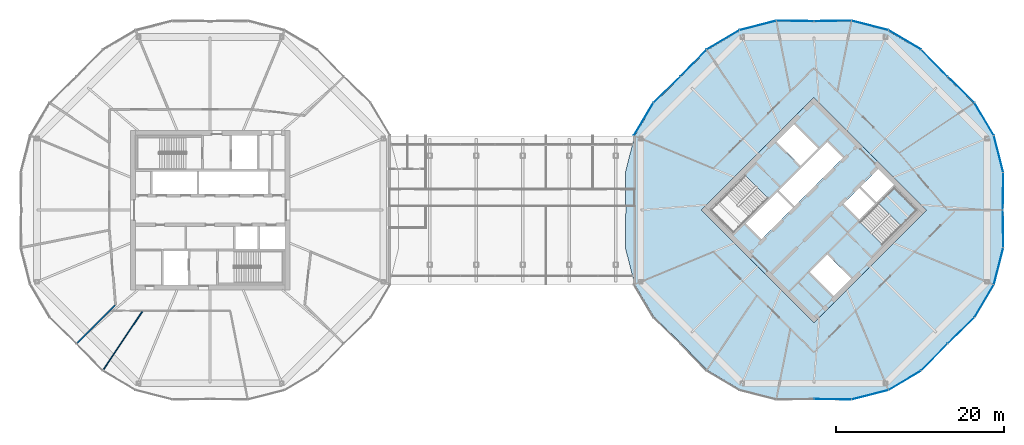
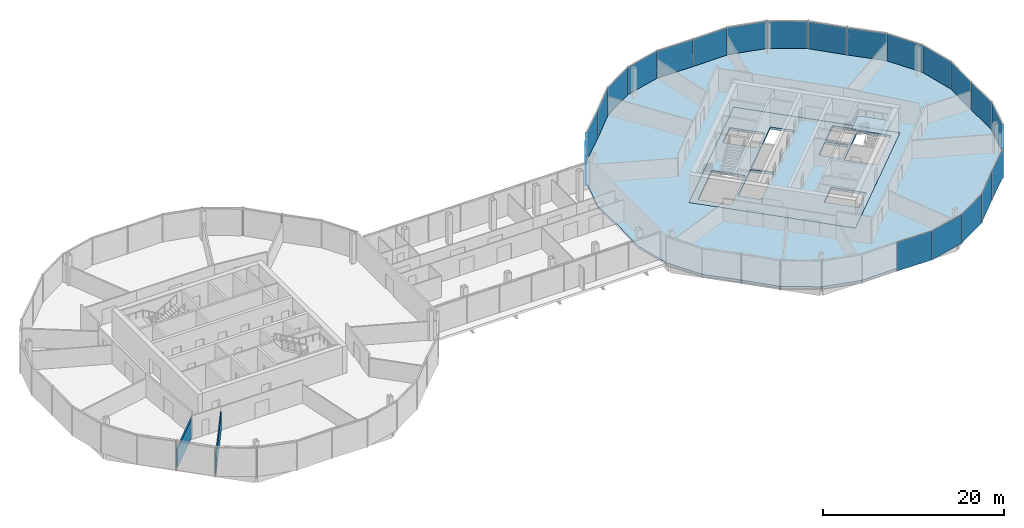
# One storey, part 18 of 25: 22 plates, 3 slabs, 2 walls, 7 elements without a shape of their own.
"""IFC4 building model written with IfcOpenShell, lengths in metres."""

from ifc_helpers import new_model, si_unit, direction, frame, frame_2d, origin, origin_2d, place, context, subcontext, project, spatial, polyline, rectangle, outline, extrude, material, layer, layer_set, type_object, element, aggregate, save


model = new_model("IFC4")

# Units and contexts
model_context = context("Model", 3, precision=1e-05, world=origin(), true_north=direction((0.0, 1.0)))
body_context = subcontext(model_context, "Body", "Model", "MODEL_VIEW")
ifc_project = project(units=[si_unit("LENGTHUNIT", "METRE"), si_unit("AREAUNIT", "SQUARE_METRE"), si_unit("VOLUMEUNIT", "CUBIC_METRE"), si_unit("PLANEANGLEUNIT", "RADIAN"), si_unit("MASSUNIT", "GRAM", prefix="KILO")], contexts=[model_context])

# Site, building, storey
site_placement = place(None, origin())
site = spatial("IfcSite", under=ifc_project, at=site_placement, CompositionType="ELEMENT")
building_placement = place(site_placement, origin())
building = spatial("IfcBuilding", under=site, at=building_placement, Name="Ogive Gate Towers", CompositionType="ELEMENT")
storey_placement = place(building_placement, frame((0.0, 0.0, 152.800048828125)))
storey = spatial("IfcBuildingStorey", under=building, at=storey_placement, Name="L36", CompositionType="ELEMENT", Elevation=152.800048828125)

# Slabs
ifc_material_1 = material(Name="Concrete C40/50", Category="concrete")
ifc_layer_1 = layer(ifc_material_1, 0.300048828125)
ifc_layer_set_1 = layer_set([ifc_layer_1], Name="Core slab C40/50 300 mm")
slab_type_1 = type_object("IfcSlabType", Name="Core slab C40/50 300 mm", PredefinedType="FLOOR", material=ifc_layer_set_1)
slab_1_placement = place(storey_placement, frame((0.0, 0.0, -0.300048828125)))
element("IfcSlab", 1, at=slab_1_placement, inside=storey, type_object=slab_type_1, Name="T2 L36 core slab", PredefinedType="FLOOR", context=body_context, shape_type="SweptSolid", body=[
    extrude(outline(polyline([(36.0, -13.43505859375), (22.56494140625, 0.0), (36.0, 13.43505859375), (49.43505859375, 0.0), (36.0, -13.43505859375)]), holes=[polyline([(29.759765625, -3.482421875), (33.50732421875, 0.26513671875), (31.615966796875, 2.15673828125), (27.868408203125, -1.591064453125), (29.759765625, -3.482421875)]), polyline([(31.792724609375, 2.33349609375), (33.68408203125, 0.44189453125), (39.482421875, 6.240234375), (37.591064453125, 8.131591796875), (31.792724609375, 2.33349609375)]), polyline([(41.3916015625, 2.634033203125), (39.517822265625, 0.760009765625), (41.409423828125, -1.13134765625), (43.283203125, 0.742431640625), (41.3916015625, 2.634033203125)]), polyline([(45.563720703125, 3.02294921875), (43.672119140625, 4.914306640625), (41.568603515625, 2.810791015625), (43.4599609375, 0.919189453125), (45.563720703125, 3.02294921875)]), polyline([(34.408935546875, 5.30322265625), (36.4951171875, 7.389404296875), (33.64892578125, 10.2353515625), (31.56298828125, 8.1494140625), (34.408935546875, 5.30322265625)]), polyline([(35.5048828125, -7.389404296875), (38.35107421875, -10.2353515625), (40.43701171875, -8.1494140625), (37.591064453125, -5.30322265625), (35.5048828125, -7.389404296875)]), polyline([(26.40087890625, -2.70458984375), (30.512939453125, 1.406982421875), (27.80810546875, 4.11181640625), (23.6962890625, 0.0), (26.40087890625, -2.70458984375)]), polyline([(48.3037109375, 0.0), (45.59912109375, 2.70458984375), (41.487060546875, -1.406982421875), (44.19189453125, -4.11181640625), (48.3037109375, 0.0)])]), origin(), (0.0, 0.0, 1.0), 0.300048828125),
])
ifc_material_2 = material(Name="Concrete C35/45", Category="concrete")
ifc_layer_2 = layer(ifc_material_2, 0.300048828125)
ifc_layer_set_2 = layer_set([ifc_layer_2], Name="Floor slab 300")
slab_type_2 = type_object("IfcSlabType", Name="Floor slab 300", PredefinedType="FLOOR", material=ifc_layer_set_2)
slab_2_placement = place(storey_placement, frame((0.0, 0.0, -0.300048828125)))
element("IfcSlab", 2, at=slab_2_placement, inside=storey, type_object=slab_type_2, Name="T2/L36/SSL001", PredefinedType="FLOOR", context=body_context, shape_type="SweptSolid", body=[
    extrude(outline(polyline([(58.489501953125, -4.473388671875), (58.429931640625, 0.0), (58.489501953125, 4.473388671875), (57.369384765625, 8.8515625), (55.065673828125, 12.7392578125), (51.8603515625, 15.8603515625), (48.7392578125, 19.065673828125), (44.8515625, 21.369384765625), (40.473388671875, 22.489501953125), (36.0, 22.429931640625), (31.526611328125, 22.489501953125), (27.1484375, 21.369384765625), (23.2607421875, 19.065673828125), (20.1396484375, 15.8603515625), (16.934326171875, 12.7392578125), (14.630615234375, 8.8515625), (13.510498046875, 4.473388671875), (13.570068359375, 0.0), (13.510498046875, -4.473388671875), (14.630615234375, -8.8515625), (16.934326171875, -12.7392578125), (20.1396484375, -15.8603515625), (23.2607421875, -19.065673828125), (27.1484375, -21.369384765625), (31.526611328125, -22.489501953125), (36.0, -22.429931640625), (40.473388671875, -22.489501953125), (44.8515625, -21.369384765625), (48.7392578125, -19.065673828125), (51.8603515625, -15.8603515625), (55.065673828125, -12.7392578125), (57.369384765625, -8.8515625), (58.489501953125, -4.473388671875)]), holes=[polyline([(49.43505859375, 0.0), (36.0, -13.43505859375), (22.56494140625, 0.0), (36.0, 13.43505859375), (49.43505859375, 0.0)])]), origin(), (0.0, 0.0, 1.0), 0.300048828125),
])

# Stair, slab
stair_type = type_object("IfcStairType", Name="Escape stair 1840 wide", PredefinedType="HALF_TURN_STAIR", material=ifc_material_1)
stair_placement = place(storey_placement, origin())
stair = element("IfcStair", 3, at=stair_placement, inside=storey, type_object=stair_type, Name="L36 Escape stair 2", PredefinedType="HALF_TURN_STAIR")
ifc_layer_3 = layer(ifc_material_1, 0.199951171875)
ifc_layer_set_3 = layer_set([ifc_layer_3], Name="Stair landing 200 mm")
slab_type_3 = type_object("IfcSlabType", Name="Stair landing 200 mm", PredefinedType="LANDING", material=ifc_layer_set_3)
slab_3_placement = place(storey_placement, frame((0.0, 0.0, 1.800048828125)))
slab_3 = element("IfcSlab", 4, at=slab_3_placement, type_object=slab_type_3, Name="ST2 landing 1", PredefinedType="LANDING", context=body_context, shape_type="SweptSolid", body=[
    extrude(outline(polyline([(46.413818359375, -1.8896484375), (48.3037109375, 0.0), (45.598876953125, 2.70458984375), (43.709228515625, 0.81494140625), (46.413818359375, -1.8896484375)])), origin(), (0.0, 0.0, 1.0), 0.199951171875),
])
aggregate(stair, [slab_3])

# Curtain wall, plates
ifc_material_3 = material(Name="Pale metal aluminium", Category="aluminium")
curtain_wall_type = type_object("IfcCurtainWallType", Name="Tower unitised wall, high zone", PredefinedType="NOTDEFINED", material=ifc_material_3)
curtain_wall_1_placement = place(storey_placement, origin())
curtain_wall_1 = element("IfcCurtainWall", 5, at=curtain_wall_1_placement, inside=storey, type_object=curtain_wall_type, Name="CW2 T2 ECW01", PredefinedType="NOTDEFINED")
ifc_material_4 = material(Name="Clear glass", Category="glass")
ifc_layer_4 = layer(ifc_material_4, 0.028076171875)
ifc_layer_set_4 = layer_set([ifc_layer_4], Name="Tower unitised wall, high zone glass panel")
plate_type = type_object("IfcPlateType", Name="Tower unitised wall, high zone glass panel", PredefinedType="CURTAIN_PANEL", material=ifc_layer_set_4)
plate_1_placement = place(storey_placement, frame((58.559814453125, 2.24072265625, -0.30029296875), z_axis=(0.0, 0.0, 1.0), x_axis=(0.013281565099, 0.999911796124, 0.0)))
plate_1 = element("IfcPlate", 6, at=plate_1_placement, type_object=plate_type, Name="CW2 glass panel", PredefinedType="CURTAIN_PANEL", context=body_context, shape_type="SweptSolid", body=[
    extrude(rectangle(XDim=4.427978515625, YDim=0.028076171875, at=origin_2d()), origin(), (0.0, 0.0, 1.0), 3.904052734375),
])
plate_2_placement = place(storey_placement, frame((58.026123046875, 6.687744140625, -0.30029296875), z_axis=(0.0, 0.0, 1.0), x_axis=(-0.247861453025, 0.968795489308, 0.0)))
plate_2 = element("IfcPlate", 7, at=plate_2_placement, type_object=plate_type, Name="CW2 glass panel", PredefinedType="CURTAIN_PANEL", context=body_context, shape_type="SweptSolid", body=[
    extrude(rectangle(XDim=4.484619140625, YDim=0.028076171875, at=origin_2d()), origin(), (0.0, 0.0, 1.0), 3.904052734375),
])
plate_3_placement = place(storey_placement, frame((56.3037109375, 10.845947265625, -0.30029296875), z_axis=(0.0, 0.0, 1.0), x_axis=(-0.509777345844, 0.860306374302, 0.0)))
plate_3 = element("IfcPlate", 8, at=plate_3_placement, type_object=plate_type, Name="CW2 glass panel", PredefinedType="CURTAIN_PANEL", context=body_context, shape_type="SweptSolid", body=[
    extrude(rectangle(XDim=4.48486328125, YDim=0.028076171875, at=origin_2d()), origin(), (0.0, 0.0, 1.0), 3.904052734375),
])
plate_4_placement = place(storey_placement, frame((53.53662109375, 14.36767578125, -0.30029296875), z_axis=(0.0, 0.0, 1.0), x_axis=(-0.716435896374, 0.697652926882, 0.0)))
plate_4 = element("IfcPlate", 9, at=plate_4_placement, type_object=plate_type, Name="CW2 glass panel", PredefinedType="CURTAIN_PANEL", context=body_context, shape_type="SweptSolid", body=[
    extrude(rectangle(XDim=4.427978515625, YDim=0.028076171875, at=origin_2d()), origin(), (0.0, 0.0, 1.0), 3.904052734375),
])
aggregate(curtain_wall_1, [plate_1, plate_2, plate_3, plate_4])

curtain_wall_2_placement = place(storey_placement, origin())
curtain_wall_2 = element("IfcCurtainWall", 10, at=curtain_wall_2_placement, inside=storey, type_object=curtain_wall_type, Name="CW2 T2 ECW02", PredefinedType="NOTDEFINED")
plate_5_placement = place(storey_placement, frame((50.36767578125, 17.53662109375, -0.30029296875), z_axis=(0.0, 0.0, 1.0), x_axis=(-0.697652926882, 0.716435896374, 0.0)))
plate_5 = element("IfcPlate", 11, at=plate_5_placement, type_object=plate_type, Name="CW2 glass panel", PredefinedType="CURTAIN_PANEL", context=body_context, shape_type="SweptSolid", body=[
    extrude(rectangle(XDim=4.427978515625, YDim=0.028076171875, at=origin_2d()), origin(), (0.0, 0.0, 1.0), 3.904052734375),
])
plate_6_placement = place(storey_placement, frame((46.845947265625, 20.3037109375, -0.30029296875), z_axis=(0.0, 0.0, 1.0), x_axis=(-0.860306374302, 0.509777345844, 0.0)))
plate_6 = element("IfcPlate", 12, at=plate_6_placement, type_object=plate_type, Name="CW2 glass panel", PredefinedType="CURTAIN_PANEL", context=body_context, shape_type="SweptSolid", body=[
    extrude(rectangle(XDim=4.48486328125, YDim=0.028076171875, at=origin_2d()), origin(), (0.0, 0.0, 1.0), 3.904052734375),
])
plate_7_placement = place(storey_placement, frame((42.687744140625, 22.026123046875, -0.30029296875), z_axis=(0.0, 0.0, 1.0), x_axis=(-0.968795489308, 0.247861453025, 0.0)))
plate_7 = element("IfcPlate", 13, at=plate_7_placement, type_object=plate_type, Name="CW2 glass panel", PredefinedType="CURTAIN_PANEL", context=body_context, shape_type="SweptSolid", body=[
    extrude(rectangle(XDim=4.484619140625, YDim=0.028076171875, at=origin_2d()), origin(), (0.0, 0.0, 1.0), 3.904052734375),
])
plate_8_placement = place(storey_placement, frame((38.24072265625, 22.559814453125, -0.30029296875), z_axis=(0.0, 0.0, 1.0), x_axis=(-0.999911796124, -0.013281565099, 0.0)))
plate_8 = element("IfcPlate", 14, at=plate_8_placement, type_object=plate_type, Name="CW2 glass panel", PredefinedType="CURTAIN_PANEL", context=body_context, shape_type="SweptSolid", body=[
    extrude(rectangle(XDim=4.427978515625, YDim=0.028076171875, at=origin_2d()), origin(), (0.0, 0.0, 1.0), 3.904052734375),
])
aggregate(curtain_wall_2, [plate_5, plate_6, plate_7, plate_8])

curtain_wall_3_placement = place(storey_placement, origin())
curtain_wall_3 = element("IfcCurtainWall", 15, at=curtain_wall_3_placement, inside=storey, type_object=curtain_wall_type, Name="CW2 T2 ECW03", PredefinedType="NOTDEFINED")
plate_9_placement = place(storey_placement, frame((33.75927734375, 22.559814453125, -0.30029296875), z_axis=(0.0, 0.0, 1.0), x_axis=(-0.999911796124, 0.013281565099, 0.0)))
plate_9 = element("IfcPlate", 16, at=plate_9_placement, type_object=plate_type, Name="CW2 glass panel", PredefinedType="CURTAIN_PANEL", context=body_context, shape_type="SweptSolid", body=[
    extrude(rectangle(XDim=4.427978515625, YDim=0.028076171875, at=origin_2d()), origin(), (0.0, 0.0, 1.0), 3.904052734375),
])
plate_10_placement = place(storey_placement, frame((29.312255859375, 22.026123046875, -0.30029296875), z_axis=(0.0, 0.0, 1.0), x_axis=(-0.968795489308, -0.247861453025, 0.0)))
plate_10 = element("IfcPlate", 17, at=plate_10_placement, type_object=plate_type, Name="CW2 glass panel", PredefinedType="CURTAIN_PANEL", context=body_context, shape_type="SweptSolid", body=[
    extrude(rectangle(XDim=4.484619140625, YDim=0.028076171875, at=origin_2d()), origin(), (0.0, 0.0, 1.0), 3.904052734375),
])
plate_11_placement = place(storey_placement, frame((25.154052734375, 20.3037109375, -0.30029296875), z_axis=(0.0, 0.0, 1.0), x_axis=(-0.860306374302, -0.509777345844, 0.0)))
plate_11 = element("IfcPlate", 18, at=plate_11_placement, type_object=plate_type, Name="CW2 glass panel", PredefinedType="CURTAIN_PANEL", context=body_context, shape_type="SweptSolid", body=[
    extrude(rectangle(XDim=4.48486328125, YDim=0.028076171875, at=origin_2d()), origin(), (0.0, 0.0, 1.0), 3.904052734375),
])
plate_12_placement = place(storey_placement, frame((21.63232421875, 17.53662109375, -0.30029296875), z_axis=(0.0, 0.0, 1.0), x_axis=(-0.697652926882, -0.716435896374, 0.0)))
plate_12 = element("IfcPlate", 19, at=plate_12_placement, type_object=plate_type, Name="CW2 glass panel", PredefinedType="CURTAIN_PANEL", context=body_context, shape_type="SweptSolid", body=[
    extrude(rectangle(XDim=4.427978515625, YDim=0.028076171875, at=origin_2d()), origin(), (0.0, 0.0, 1.0), 3.904052734375),
])
aggregate(curtain_wall_3, [plate_9, plate_10, plate_11, plate_12])

curtain_wall_4_placement = place(storey_placement, origin())
curtain_wall_4 = element("IfcCurtainWall", 20, at=curtain_wall_4_placement, inside=storey, type_object=curtain_wall_type, Name="CW2 T2 ECW04", PredefinedType="NOTDEFINED")
plate_13_placement = place(storey_placement, frame((18.46337890625, 14.36767578125, -0.30029296875), z_axis=(0.0, 0.0, 1.0), x_axis=(-0.716435896374, -0.697652926882, 0.0)))
plate_13 = element("IfcPlate", 21, at=plate_13_placement, type_object=plate_type, Name="CW2 glass panel", PredefinedType="CURTAIN_PANEL", context=body_context, shape_type="SweptSolid", body=[
    extrude(rectangle(XDim=4.427978515625, YDim=0.028076171875, at=origin_2d()), origin(), (0.0, 0.0, 1.0), 3.904052734375),
])
plate_14_placement = place(storey_placement, frame((15.6953125, 10.84423828125, -0.30029296875), z_axis=(0.0, 0.0, 1.0), x_axis=(-0.509777345844, -0.860306374302, 0.0)))
plate_14 = element("IfcPlate", 22, at=plate_14_placement, type_object=plate_type, Name="CW2 glass panel", PredefinedType="CURTAIN_PANEL", context=body_context, shape_type="SweptSolid", body=[
    extrude(rectangle(XDim=4.48876953125, YDim=0.028076171875, at=origin_2d()), origin(), (0.0, 0.0, 1.0), 3.904052734375),
])
aggregate(curtain_wall_4, [plate_13, plate_14])

curtain_wall_5_placement = place(storey_placement, origin())
curtain_wall_5 = element("IfcCurtainWall", 23, at=curtain_wall_5_placement, inside=storey, type_object=curtain_wall_type, Name="CW2 T2 ECW07", PredefinedType="NOTDEFINED")
plate_15_placement = place(storey_placement, frame((38.24072265625, -22.559814453125, -0.30029296875), z_axis=(0.0, 0.0, 1.0), x_axis=(0.999911796124, -0.013281565099, 0.0)))
plate_15 = element("IfcPlate", 24, at=plate_15_placement, type_object=plate_type, Name="CW2 glass panel", PredefinedType="CURTAIN_PANEL", context=body_context, shape_type="SweptSolid", body=[
    extrude(rectangle(XDim=4.427978515625, YDim=0.028076171875, at=origin_2d()), origin(), (0.0, 0.0, 1.0), 3.904052734375),
])
plate_16_placement = place(storey_placement, frame((42.687744140625, -22.026123046875, -0.30029296875), z_axis=(0.0, 0.0, 1.0), x_axis=(0.968795489308, 0.247861453025, 0.0)))
plate_16 = element("IfcPlate", 25, at=plate_16_placement, type_object=plate_type, Name="CW2 glass panel", PredefinedType="CURTAIN_PANEL", context=body_context, shape_type="SweptSolid", body=[
    extrude(rectangle(XDim=4.484619140625, YDim=0.028076171875, at=origin_2d()), origin(), (0.0, 0.0, 1.0), 3.904052734375),
])
plate_17_placement = place(storey_placement, frame((46.845947265625, -20.3037109375, -0.30029296875), z_axis=(0.0, 0.0, 1.0), x_axis=(0.860306374302, 0.509777345844, 0.0)))
plate_17 = element("IfcPlate", 26, at=plate_17_placement, type_object=plate_type, Name="CW2 glass panel", PredefinedType="CURTAIN_PANEL", context=body_context, shape_type="SweptSolid", body=[
    extrude(rectangle(XDim=4.48486328125, YDim=0.028076171875, at=origin_2d()), origin(), (0.0, 0.0, 1.0), 3.904052734375),
])
plate_18_placement = place(storey_placement, frame((50.36767578125, -17.53662109375, -0.30029296875), z_axis=(0.0, 0.0, 1.0), x_axis=(0.697652926882, 0.716435896374, 0.0)))
plate_18 = element("IfcPlate", 27, at=plate_18_placement, type_object=plate_type, Name="CW2 glass panel", PredefinedType="CURTAIN_PANEL", context=body_context, shape_type="SweptSolid", body=[
    extrude(rectangle(XDim=4.427978515625, YDim=0.028076171875, at=origin_2d()), origin(), (0.0, 0.0, 1.0), 3.904052734375),
])
aggregate(curtain_wall_5, [plate_15, plate_16, plate_17, plate_18])

curtain_wall_6_placement = place(storey_placement, origin())
curtain_wall_6 = element("IfcCurtainWall", 28, at=curtain_wall_6_placement, inside=storey, type_object=curtain_wall_type, Name="CW2 T2 ECW08", PredefinedType="NOTDEFINED")
plate_19_placement = place(storey_placement, frame((53.53662109375, -14.36767578125, -0.30029296875), z_axis=(0.0, 0.0, 1.0), x_axis=(0.716435896374, 0.697652926882, 0.0)))
plate_19 = element("IfcPlate", 29, at=plate_19_placement, type_object=plate_type, Name="CW2 glass panel", PredefinedType="CURTAIN_PANEL", context=body_context, shape_type="SweptSolid", body=[
    extrude(rectangle(XDim=4.427978515625, YDim=0.028076171875, at=origin_2d()), origin(), (0.0, 0.0, 1.0), 3.904052734375),
])
plate_20_placement = place(storey_placement, frame((56.3037109375, -10.845947265625, -0.30029296875), z_axis=(0.0, 0.0, 1.0), x_axis=(0.509777345844, 0.860306374302, 0.0)))
plate_20 = element("IfcPlate", 30, at=plate_20_placement, type_object=plate_type, Name="CW2 glass panel", PredefinedType="CURTAIN_PANEL", context=body_context, shape_type="SweptSolid", body=[
    extrude(rectangle(XDim=4.48486328125, YDim=0.028076171875, at=origin_2d()), origin(), (0.0, 0.0, 1.0), 3.904052734375),
])
plate_21_placement = place(storey_placement, frame((58.026123046875, -6.687744140625, -0.30029296875), z_axis=(0.0, 0.0, 1.0), x_axis=(0.247861453025, 0.968795489308, 0.0)))
plate_21 = element("IfcPlate", 31, at=plate_21_placement, type_object=plate_type, Name="CW2 glass panel", PredefinedType="CURTAIN_PANEL", context=body_context, shape_type="SweptSolid", body=[
    extrude(rectangle(XDim=4.484619140625, YDim=0.028076171875, at=origin_2d()), origin(), (0.0, 0.0, 1.0), 3.904052734375),
])
plate_22_placement = place(storey_placement, frame((58.559814453125, -2.24072265625, -0.30029296875), z_axis=(0.0, 0.0, 1.0), x_axis=(-0.013281565099, 0.999911796124, 0.0)))
plate_22 = element("IfcPlate", 32, at=plate_22_placement, type_object=plate_type, Name="CW2 glass panel", PredefinedType="CURTAIN_PANEL", context=body_context, shape_type="SweptSolid", body=[
    extrude(rectangle(XDim=4.427978515625, YDim=0.028076171875, at=origin_2d()), origin(), (0.0, 0.0, 1.0), 3.904052734375),
])
aggregate(curtain_wall_6, [plate_19, plate_20, plate_21, plate_22])

# Walls
ifc_material_5 = material(Name="Gypsum board acoustic partition")
ifc_layer_5 = layer(ifc_material_5, 0.175048828125)
ifc_layer_set_5 = layer_set([ifc_layer_5], Name="Acoustic partition 175")
wall_type_1 = type_object("IfcWallType", Name="Acoustic partition 175", PredefinedType="PARTITIONING", material=ifc_layer_set_5)
wall_1_placement = place(storey_placement, frame((-51.859619140625, -15.859619140625, 0.0), z_axis=(0.0, 0.0, 1.0), x_axis=(0.707106781187, 0.707106781187, 0.0)))
element("IfcWall", 33, at=wall_1_placement, inside=storey, type_object=wall_type_1, Name="Partition T1-L36-007", PredefinedType="PARTITIONING", context=body_context, shape_type="SweptSolid", body=[
    extrude(rectangle(XDim=6.3916015625, YDim=0.175048828125, at=frame_2d((3.19580078125, 0.0))), origin(), (0.0, 0.0, 1.0), 2.5),
])
ifc_material_6 = material(Name="Gypsum board partition")
ifc_layer_6 = layer(ifc_material_6, 0.125)
ifc_layer_set_6 = layer_set([ifc_layer_6], Name="Partition 125")
wall_type_2 = type_object("IfcWallType", Name="Partition 125", PredefinedType="PARTITIONING", material=ifc_layer_set_6)
wall_2_placement = place(storey_placement, frame((-48.74560546875, -19.060791015625, 0.0), z_axis=(0.0, 0.0, 1.0), x_axis=(0.555871103988, 0.83126849799, 0.0)))
element("IfcWall", 34, at=wall_2_placement, inside=storey, type_object=wall_type_2, Name="Partition T1-L36-008", PredefinedType="PARTITIONING", context=body_context, shape_type="SweptSolid", body=[
    extrude(rectangle(XDim=8.41650390625, YDim=0.125, at=frame_2d((4.208251953125, 0.0))), origin(), (0.0, 0.0, 1.0), 2.5),
])

save(model, "model.ifc")
